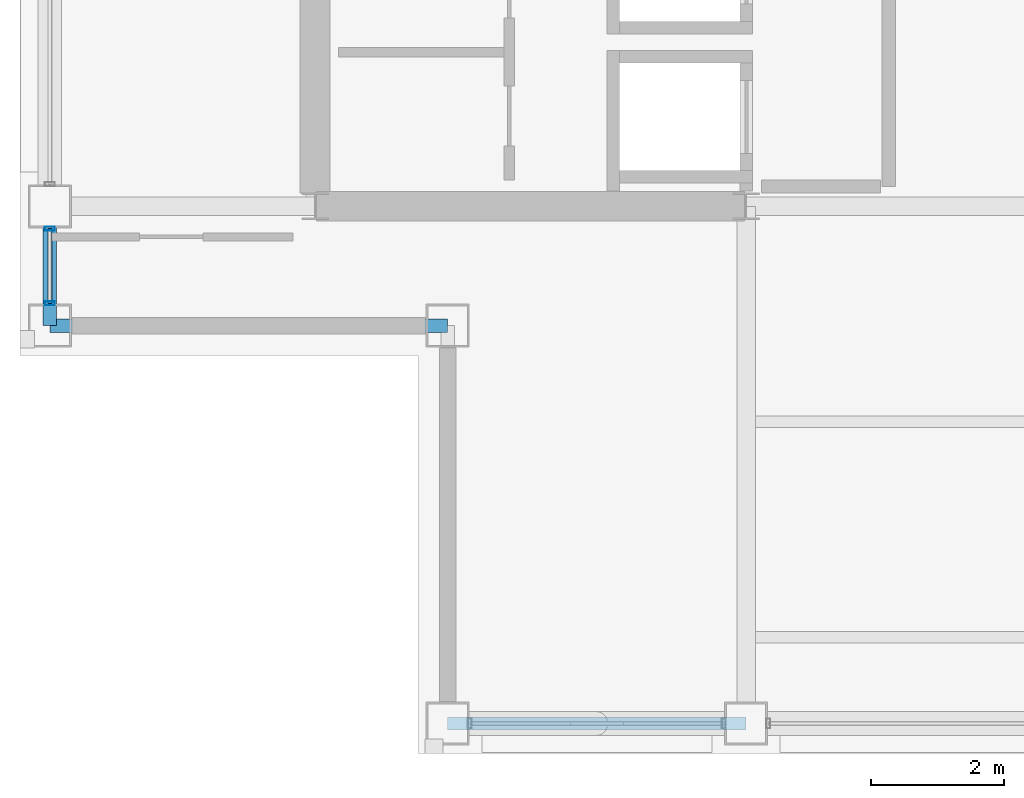
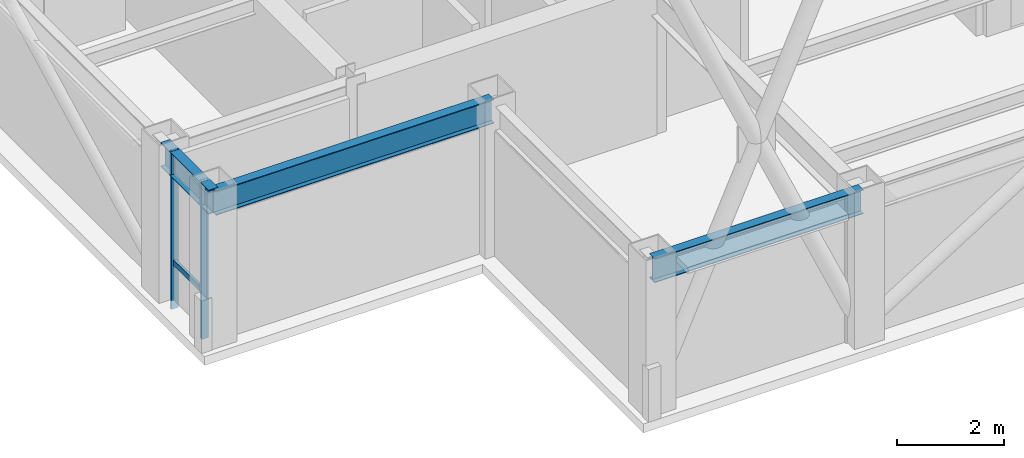
# One storey, part 4 of 28: 3 beams, 3 members, 1 element without a shape of its own.
"""IFC4 building model written with IfcOpenShell, lengths in metres."""

from ifc_helpers import new_model, si_unit, direction, frame, origin, origin_2d, place, context, subcontext, project, spatial, hollow_rectangle, i_section, extrude, material, layer, layer_set, material_profile, profile_set, type_object, element, aggregate, save


model = new_model("IFC4")

# Units and contexts
model_context = context("Model", 3, precision=1e-05, world=origin(), true_north=direction((0.0, 1.0)))
body_context = subcontext(model_context, "Body", "Model", "MODEL_VIEW")
ifc_project = project(units=[si_unit("LENGTHUNIT", "METRE"), si_unit("AREAUNIT", "SQUARE_METRE"), si_unit("VOLUMEUNIT", "CUBIC_METRE"), si_unit("PLANEANGLEUNIT", "RADIAN"), si_unit("MASSUNIT", "GRAM", prefix="KILO")], contexts=[model_context])

# Site, building, storey
site_placement = place(None, origin())
site = spatial("IfcSite", under=ifc_project, at=site_placement, CompositionType="ELEMENT")
building_placement = place(site_placement, origin())
building = spatial("IfcBuilding", under=site, at=building_placement, Name="Brelmoor Portico Tower", CompositionType="ELEMENT")
storey_placement = place(building_placement, frame((0.0, 0.0, 225.60009765625)))
storey = spatial("IfcBuildingStorey", under=building, at=storey_placement, Name="L59", CompositionType="ELEMENT", Elevation=225.60009765625)

# Beams
ifc_material_1 = material(Name="Steel Q355B", Category="steel")
ifc_material_profile_1 = material_profile(ifc_material_1, i_section(OverallWidth=0.199951171875, OverallDepth=0.550048828125, WebThickness=0.010009765625, FlangeThickness=0.01611328125, at=origin_2d()), Name="HN 550x200x10x16")
ifc_profile_set_1 = profile_set([ifc_material_profile_1], Name="Steel Q355B")
beam_type = type_object("IfcBeamType", Name="BM-SP-550", PredefinedType="SPANDREL", material=ifc_profile_set_1)
beam_1_placement = place(storey_placement, frame((-12.550048828125, -17.550048828125, 3.125), z_axis=(1.0, 0.0, 0.0), x_axis=(0.0, 1.0, 0.0)))
element("IfcBeam", 1, at=beam_1_placement, inside=storey, type_object=beam_type, Name="L59 Perimeter Spandrel Beam SP-01", PredefinedType="SPANDREL", context=body_context, shape_type="SweptSolid", body=[
    extrude(i_section(OverallWidth=0.199951171875, OverallDepth=0.550048828125, WebThickness=0.010009765625, FlangeThickness=0.01611328125, at=origin_2d()), origin(), (0.0, 0.0, 1.0), 4.5),
])
beam_2_placement = place(storey_placement, frame((-18.550048828125, -11.550048828125, 3.125), z_axis=(1.0, 0.0, 0.0), x_axis=(0.0, 1.0, 0.0)))
element("IfcBeam", 2, at=beam_2_placement, inside=storey, type_object=beam_type, Name="L59 Perimeter Spandrel Beam SP-04", PredefinedType="SPANDREL", context=body_context, shape_type="SweptSolid", body=[
    extrude(i_section(OverallWidth=0.199951171875, OverallDepth=0.550048828125, WebThickness=0.010009765625, FlangeThickness=0.01611328125, at=origin_2d()), origin(), (0.0, 0.0, 1.0), 6.0),
])
beam_3_placement = place(storey_placement, frame((-18.550048828125, -11.550048828125, 3.125), z_axis=(0.0, 1.0, 0.0), x_axis=(-1.0, 0.0, 0.0)))
element("IfcBeam", 3, at=beam_3_placement, inside=storey, type_object=beam_type, Name="L59 Perimeter Spandrel Beam SP-11", PredefinedType="SPANDREL", context=body_context, shape_type="SweptSolid", body=[
    extrude(i_section(OverallWidth=0.199951171875, OverallDepth=0.550048828125, WebThickness=0.010009765625, FlangeThickness=0.01611328125, at=origin_2d()), origin(), (0.0, 0.0, 1.0), 1.800048828125),
])

# Curtain wall, members
ifc_material_2 = material(Name="Anodised Aluminium Alloy 6063-T6", Category="aluminium")
ifc_layer = layer(ifc_material_2, 0.179931640625)
ifc_layer_set = layer_set([ifc_layer], Name="Anodised Aluminium Alloy 6063-T6")
curtain_wall_type = type_object("IfcCurtainWallType", Name="CW-TOWER-Z4", PredefinedType="NOTDEFINED", material=ifc_layer_set)
curtain_wall_placement = place(storey_placement, origin())
curtain_wall = element("IfcCurtainWall", 4, at=curtain_wall_placement, inside=storey, type_object=curtain_wall_type, Name="L59 Curtain Wall CW-L59-03-1", PredefinedType="NOTDEFINED")
ifc_material_profile_2 = material_profile(ifc_material_2, hollow_rectangle(XDim=0.06005859375, YDim=0.14990234375, WallThickness=0.00390625, at=origin_2d()), Name="ALU MULLION 60x150")
ifc_profile_set_2 = profile_set([ifc_material_profile_2], Name="Anodised Aluminium Alloy 6063-T6")
member_type_1 = type_object("IfcMemberType", Name="MB-CW-MULL-150", PredefinedType="MULLION", material=ifc_profile_set_2)
member_1_placement = place(storey_placement, frame((-18.550048828125, -11.215087890625, -0.2001953125), z_axis=(0.0, 0.0, 1.0), x_axis=(0.0, 1.0, 0.0)))
member_1 = element("IfcMember", 5, at=member_1_placement, type_object=member_type_1, Name="CW-L59-03-1 Mullion 00", PredefinedType="MULLION", context=body_context, shape_type="SweptSolid", body=[
    extrude(hollow_rectangle(XDim=0.06005859375, YDim=0.14990234375, WallThickness=0.00390625, at=origin_2d()), origin(), (0.0, 0.0, 1.0), 3.60009765625),
])
member_2_placement = place(storey_placement, frame((-18.550048828125, -10.0849609375, -0.2001953125), z_axis=(0.0, 0.0, 1.0), x_axis=(0.0, 1.0, 0.0)))
member_2 = element("IfcMember", 6, at=member_2_placement, type_object=member_type_1, Name="CW-L59-03-1 Mullion 01", PredefinedType="MULLION", context=body_context, shape_type="SweptSolid", body=[
    extrude(hollow_rectangle(XDim=0.06005859375, YDim=0.14990234375, WallThickness=0.00390625, at=origin_2d()), origin(), (0.0, 0.0, 1.0), 3.60009765625),
])
ifc_material_profile_3 = material_profile(ifc_material_2, hollow_rectangle(XDim=0.06005859375, YDim=0.125, WallThickness=0.00341796875, at=origin_2d()), Name="ALU TRANSOM 60x125")
ifc_profile_set_3 = profile_set([ifc_material_profile_3], Name="Anodised Aluminium Alloy 6063-T6")
member_type_2 = type_object("IfcMemberType", Name="MB-CW-TRAN-125", PredefinedType="USERDEFINED", material=ifc_profile_set_3)
member_3_placement = place(storey_placement, frame((-18.550048828125, -11.215087890625, 0.849853515625), z_axis=(0.0, 1.0, 0.0), x_axis=(-1.0, 0.0, 0.0)))
member_3 = element("IfcMember", 7, at=member_3_placement, type_object=member_type_2, Name="CW-L59-03-1 Transom 1-00", ObjectType="TRANSOM", PredefinedType="USERDEFINED", context=body_context, shape_type="SweptSolid", body=[
    extrude(hollow_rectangle(XDim=0.06005859375, YDim=0.125, WallThickness=0.00341796875, at=origin_2d()), origin(), (0.0, 0.0, 1.0), 1.130126953125),
])
aggregate(curtain_wall, [member_1, member_2, member_3])

save(model, "model.ifc")
